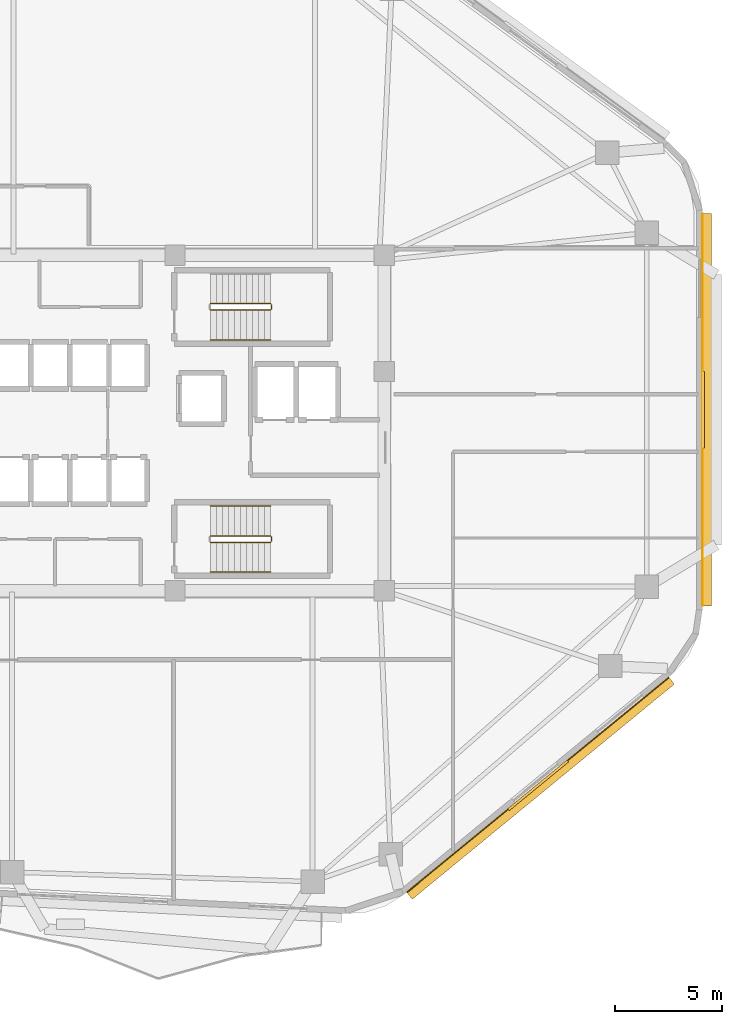
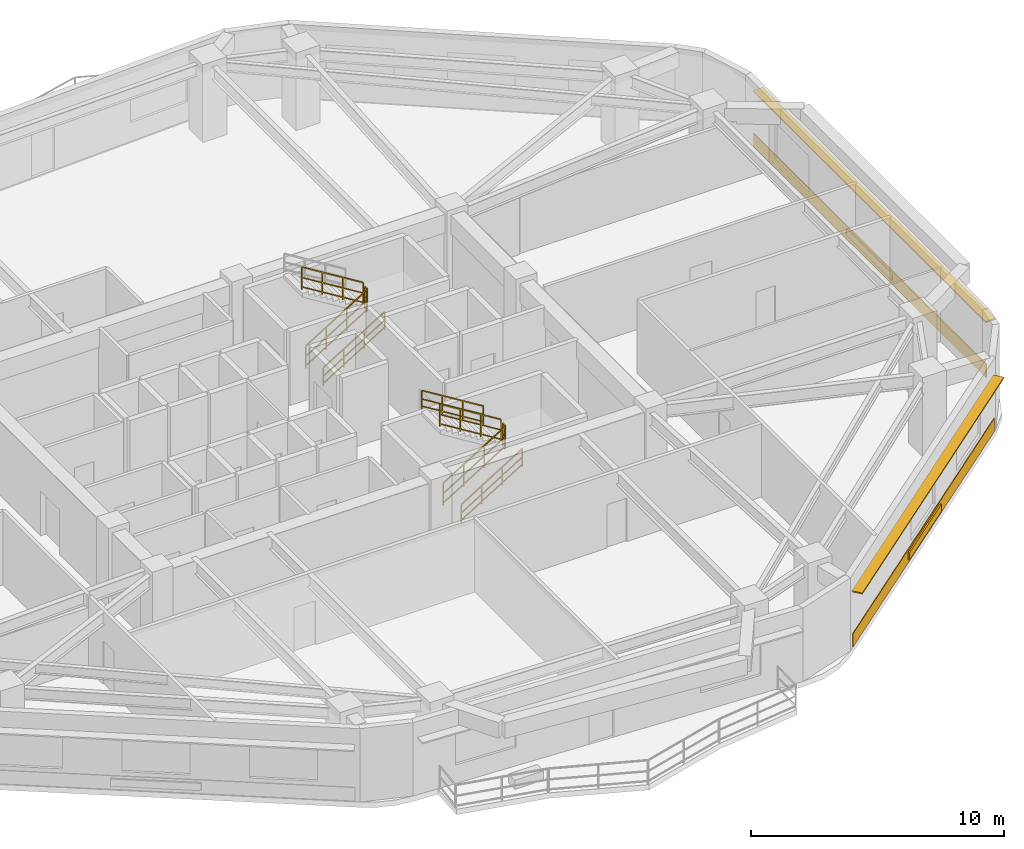
# One storey, part 8 of 9: 9 railings, 4 shading devices, 2 coverings.
"""IFC4 building model written with IfcOpenShell, lengths in metres."""

from ifc_helpers import new_model, si_unit, direction, frame, origin, origin_2d, place, context, subcontext, project, spatial, rectangle, extrude, material, layer, layer_set, type_object, element, save


model = new_model("IFC4")

# Units and contexts
model_context = context("Model", 3, precision=1e-05, world=origin(), true_north=direction((0.0, 1.0)))
body_context = subcontext(model_context, "Body", "Model", "MODEL_VIEW")
ifc_project = project(units=[si_unit("LENGTHUNIT", "METRE"), si_unit("AREAUNIT", "SQUARE_METRE"), si_unit("VOLUMEUNIT", "CUBIC_METRE"), si_unit("PLANEANGLEUNIT", "RADIAN"), si_unit("MASSUNIT", "GRAM", prefix="KILO")], contexts=[model_context])

# Site, building, storey
site_placement = place(None, origin())
site = spatial("IfcSite", under=ifc_project, at=site_placement, CompositionType="ELEMENT")
building_placement = place(site_placement, origin())
building = spatial("IfcBuilding", under=site, at=building_placement, Name="Zulverin Broadcast Headquarters", CompositionType="ELEMENT")
storey_placement = place(building_placement, frame((0.0, 0.0, 144.0)))
storey = spatial("IfcBuildingStorey", under=building, at=storey_placement, Name="L36", CompositionType="ELEMENT", Elevation=144.0)

# Coverings
ifc_material_1 = material(Name="Brushed pale-aluminium rainscreen cladding", Category="aluminium")
ifc_layer_1 = layer(ifc_material_1, 0.0400390625, Name="Brushed pale-aluminium rainscreen cladding", Category="aluminium")
ifc_layer_set_1 = layer_set([ifc_layer_1], Name="Brushed pale-aluminium rainscreen cladding")
covering_type = type_object("IfcCoveringType", Name="COV-CLAD-PALE", PredefinedType="CLADDING", material=ifc_layer_set_1)
covering_1_placement = place(storey_placement, frame((55.47802734375, 8.222412109375, 0.054931640625), z_axis=(0.0, 0.0, 1.0), x_axis=(0.77293958613, 0.634479626302, 0.0)))
element("IfcCovering", 1, at=covering_1_placement, inside=storey, type_object=covering_type, Name="L36 Brushed Pale-Aluminium Spandrel Cladding 2", PredefinedType="CLADDING", context=body_context, shape_type="SweptSolid", body=[
    extrude(rectangle(XDim=15.90869140625, YDim=0.0400390625, at=origin_2d()), origin(), (0.0, 0.0, 1.0), 0.64990234375),
])
covering_2_placement = place(storey_placement, frame((63.2099609375, 25.82421875, 0.054931640625), z_axis=(0.0, 0.0, 1.0), x_axis=(0.0, 1.0, 0.0)))
element("IfcCovering", 2, at=covering_2_placement, inside=storey, type_object=covering_type, Name="L36 Brushed Pale-Aluminium Spandrel Cladding 3", PredefinedType="CLADDING", context=body_context, shape_type="SweptSolid", body=[
    extrude(rectangle(XDim=18.41162109375, YDim=0.0400390625, at=origin_2d()), origin(), (0.0, 0.0, 1.0), 0.64990234375),
])

# Railings
ifc_material_2 = material(Name="Painted galvanized steel tubular guardrail S355JR", Category="steel")
railing_type_1 = type_object("IfcRailingType", Name="RL-ST-GUARD", PredefinedType="GUARDRAIL", material=ifc_material_2)
railing_1_placement = place(storey_placement, frame((40.1298828125, 30.5, 0.172607421875)))
element("IfcRailing", 3, at=railing_1_placement, inside=storey, type_object=railing_type_1, Name="L36 ST-1 stair guard 1", PredefinedType="GUARDRAIL", context=body_context, shape_type="SweptSolid", body=[
    extrude(rectangle(XDim=0.048095703125, YDim=0.048095703125, at=origin_2d()), frame((0.0, 0.0, 1.076171875), z_axis=(0.851089632645, 0.0, 0.525020415988), x_axis=(0.0, 1.0, 0.0)), (0.0, 0.0, 1.0), 3.2900390625),
    extrude(rectangle(XDim=0.0419921875, YDim=0.0419921875, at=origin_2d()), frame((0.0, 0.0, 0.572021484375), z_axis=(0.851089632645, 0.0, 0.525020415988), x_axis=(0.0, 1.0, 0.0)), (0.0, 0.0, 1.0), 3.2900390625),
    extrude(rectangle(XDim=0.0419921875, YDim=0.0419921875, at=origin_2d()), frame((0.0, 0.0, 0.1201171875), z_axis=(0.851089632645, 0.0, 0.525020415988), x_axis=(0.0, 1.0, 0.0)), (0.0, 0.0, 1.0), 3.2900390625),
    extrude(rectangle(XDim=0.0419921875, YDim=0.0419921875, at=origin_2d()), origin(), (0.0, 0.0, 1.0), 1.052001953125),
    extrude(rectangle(XDim=0.0419921875, YDim=0.0419921875, at=origin_2d()), frame((0.933349609375, 0.0, 0.57568359375)), (0.0, 0.0, 1.0), 1.052001953125),
    extrude(rectangle(XDim=0.0419921875, YDim=0.0419921875, at=origin_2d()), frame((1.86669921875, 0.0, 1.151611328125)), (0.0, 0.0, 1.0), 1.052001953125),
    extrude(rectangle(XDim=0.0419921875, YDim=0.0419921875, at=origin_2d()), frame((2.800048828125, 0.0, 1.727294921875)), (0.0, 0.0, 1.0), 1.052001953125),
])
railing_2_placement = place(storey_placement, frame((42.97998046875, 30.550048828125, 1.89990234375)))
element("IfcRailing", 4, at=railing_2_placement, inside=storey, type_object=railing_type_1, Name="L36 ST-1 stair guard 2", PredefinedType="GUARDRAIL", context=body_context, shape_type="SweptSolid", body=[
    extrude(rectangle(XDim=0.048095703125, YDim=0.048095703125, at=origin_2d()), frame((0.0, 0.0, 1.076171875), z_axis=(0.0, 1.0, 0.0), x_axis=(-1.0, 0.0, 0.0)), (0.0, 0.0, 1.0), 0.199951171875),
    extrude(rectangle(XDim=0.0419921875, YDim=0.0419921875, at=origin_2d()), frame((0.0, 0.0, 0.572021484375), z_axis=(0.0, 1.0, 0.0), x_axis=(-1.0, 0.0, 0.0)), (0.0, 0.0, 1.0), 0.199951171875),
    extrude(rectangle(XDim=0.0419921875, YDim=0.0419921875, at=origin_2d()), frame((0.0, 0.0, 0.1201171875), z_axis=(0.0, 1.0, 0.0), x_axis=(-1.0, 0.0, 0.0)), (0.0, 0.0, 1.0), 0.199951171875),
    extrude(rectangle(XDim=0.0419921875, YDim=0.0419921875, at=origin_2d()), origin(), (0.0, 0.0, 1.0), 1.052001953125),
    extrude(rectangle(XDim=0.0419921875, YDim=0.0419921875, at=origin_2d()), frame((0.0, 0.199951171875, 0.0)), (0.0, 0.0, 1.0), 1.052001953125),
])
railing_3_placement = place(storey_placement, frame((42.929931640625, 30.800048828125, 2.07275390625)))
element("IfcRailing", 5, at=railing_3_placement, inside=storey, type_object=railing_type_1, Name="L36 ST-1 stair guard 3", PredefinedType="GUARDRAIL", context=body_context, shape_type="SweptSolid", body=[
    extrude(rectangle(XDim=0.048095703125, YDim=0.048095703125, at=origin_2d()), frame((0.0, 0.0, 1.076171875), z_axis=(-0.851089632645, 0.0, 0.525020415988), x_axis=(0.0, -1.0, 0.0)), (0.0, 0.0, 1.0), 3.2900390625),
    extrude(rectangle(XDim=0.0419921875, YDim=0.0419921875, at=origin_2d()), frame((0.0, 0.0, 0.572021484375), z_axis=(-0.851089632645, 0.0, 0.525020415988), x_axis=(0.0, -1.0, 0.0)), (0.0, 0.0, 1.0), 3.2900390625),
    extrude(rectangle(XDim=0.0419921875, YDim=0.0419921875, at=origin_2d()), frame((0.0, 0.0, 0.1201171875), z_axis=(-0.851089632645, 0.0, 0.525020415988), x_axis=(0.0, -1.0, 0.0)), (0.0, 0.0, 1.0), 3.2900390625),
    extrude(rectangle(XDim=0.0419921875, YDim=0.0419921875, at=origin_2d()), origin(), (0.0, 0.0, 1.0), 1.052001953125),
    extrude(rectangle(XDim=0.0419921875, YDim=0.0419921875, at=origin_2d()), frame((-0.933349609375, 0.0, 0.57568359375)), (0.0, 0.0, 1.0), 1.052001953125),
    extrude(rectangle(XDim=0.0419921875, YDim=0.0419921875, at=origin_2d()), frame((-1.86669921875, 0.0, 1.151611328125)), (0.0, 0.0, 1.0), 1.052001953125),
    extrude(rectangle(XDim=0.0419921875, YDim=0.0419921875, at=origin_2d()), frame((-2.800048828125, 0.0, 1.727294921875)), (0.0, 0.0, 1.0), 1.052001953125),
])
railing_4_placement = place(storey_placement, frame((40.1298828125, 19.60009765625, 0.172607421875)))
element("IfcRailing", 6, at=railing_4_placement, inside=storey, type_object=railing_type_1, Name="L36 ST-2 stair guard 1", PredefinedType="GUARDRAIL", context=body_context, shape_type="SweptSolid", body=[
    extrude(rectangle(XDim=0.048095703125, YDim=0.048095703125, at=origin_2d()), frame((0.0, 0.0, 1.076171875), z_axis=(0.851089632645, 0.0, 0.525020415988), x_axis=(0.0, 1.0, 0.0)), (0.0, 0.0, 1.0), 3.2900390625),
    extrude(rectangle(XDim=0.0419921875, YDim=0.0419921875, at=origin_2d()), frame((0.0, 0.0, 0.572021484375), z_axis=(0.851089632645, 0.0, 0.525020415988), x_axis=(0.0, 1.0, 0.0)), (0.0, 0.0, 1.0), 3.2900390625),
    extrude(rectangle(XDim=0.0419921875, YDim=0.0419921875, at=origin_2d()), frame((0.0, 0.0, 0.1201171875), z_axis=(0.851089632645, 0.0, 0.525020415988), x_axis=(0.0, 1.0, 0.0)), (0.0, 0.0, 1.0), 3.2900390625),
    extrude(rectangle(XDim=0.0419921875, YDim=0.0419921875, at=origin_2d()), origin(), (0.0, 0.0, 1.0), 1.052001953125),
    extrude(rectangle(XDim=0.0419921875, YDim=0.0419921875, at=origin_2d()), frame((0.933349609375, 0.0, 0.57568359375)), (0.0, 0.0, 1.0), 1.052001953125),
    extrude(rectangle(XDim=0.0419921875, YDim=0.0419921875, at=origin_2d()), frame((1.86669921875, 0.0, 1.151611328125)), (0.0, 0.0, 1.0), 1.052001953125),
    extrude(rectangle(XDim=0.0419921875, YDim=0.0419921875, at=origin_2d()), frame((2.800048828125, 0.0, 1.727294921875)), (0.0, 0.0, 1.0), 1.052001953125),
])
railing_5_placement = place(storey_placement, frame((42.97998046875, 19.64990234375, 1.89990234375)))
element("IfcRailing", 7, at=railing_5_placement, inside=storey, type_object=railing_type_1, Name="L36 ST-2 stair guard 2", PredefinedType="GUARDRAIL", context=body_context, shape_type="SweptSolid", body=[
    extrude(rectangle(XDim=0.048095703125, YDim=0.048095703125, at=origin_2d()), frame((0.0, 0.0, 1.076171875), z_axis=(0.0, 1.0, 0.0), x_axis=(-1.0, 0.0, 0.0)), (0.0, 0.0, 1.0), 0.2001953125),
    extrude(rectangle(XDim=0.0419921875, YDim=0.0419921875, at=origin_2d()), frame((0.0, 0.0, 0.572021484375), z_axis=(0.0, 1.0, 0.0), x_axis=(-1.0, 0.0, 0.0)), (0.0, 0.0, 1.0), 0.2001953125),
    extrude(rectangle(XDim=0.0419921875, YDim=0.0419921875, at=origin_2d()), frame((0.0, 0.0, 0.1201171875), z_axis=(0.0, 1.0, 0.0), x_axis=(-1.0, 0.0, 0.0)), (0.0, 0.0, 1.0), 0.2001953125),
    extrude(rectangle(XDim=0.0419921875, YDim=0.0419921875, at=origin_2d()), origin(), (0.0, 0.0, 1.0), 1.052001953125),
    extrude(rectangle(XDim=0.0419921875, YDim=0.0419921875, at=origin_2d()), frame((0.0, 0.2001953125, 0.0)), (0.0, 0.0, 1.0), 1.052001953125),
])
railing_6_placement = place(storey_placement, frame((42.929931640625, 19.89990234375, 2.07275390625)))
element("IfcRailing", 8, at=railing_6_placement, inside=storey, type_object=railing_type_1, Name="L36 ST-2 stair guard 3", PredefinedType="GUARDRAIL", context=body_context, shape_type="SweptSolid", body=[
    extrude(rectangle(XDim=0.048095703125, YDim=0.048095703125, at=origin_2d()), frame((0.0, 0.0, 1.076171875), z_axis=(-0.851089632645, 0.0, 0.525020415988), x_axis=(0.0, -1.0, 0.0)), (0.0, 0.0, 1.0), 3.2900390625),
    extrude(rectangle(XDim=0.0419921875, YDim=0.0419921875, at=origin_2d()), frame((0.0, 0.0, 0.572021484375), z_axis=(-0.851089632645, 0.0, 0.525020415988), x_axis=(0.0, -1.0, 0.0)), (0.0, 0.0, 1.0), 3.2900390625),
    extrude(rectangle(XDim=0.0419921875, YDim=0.0419921875, at=origin_2d()), frame((0.0, 0.0, 0.1201171875), z_axis=(-0.851089632645, 0.0, 0.525020415988), x_axis=(0.0, -1.0, 0.0)), (0.0, 0.0, 1.0), 3.2900390625),
    extrude(rectangle(XDim=0.0419921875, YDim=0.0419921875, at=origin_2d()), origin(), (0.0, 0.0, 1.0), 1.052001953125),
    extrude(rectangle(XDim=0.0419921875, YDim=0.0419921875, at=origin_2d()), frame((-0.933349609375, 0.0, 0.57568359375)), (0.0, 0.0, 1.0), 1.052001953125),
    extrude(rectangle(XDim=0.0419921875, YDim=0.0419921875, at=origin_2d()), frame((-1.86669921875, 0.0, 1.151611328125)), (0.0, 0.0, 1.0), 1.052001953125),
    extrude(rectangle(XDim=0.0419921875, YDim=0.0419921875, at=origin_2d()), frame((-2.800048828125, 0.0, 1.727294921875)), (0.0, 0.0, 1.0), 1.052001953125),
])
ifc_material_3 = material(Name="Brushed stainless steel 48 mm handrail", Category="steel")
railing_type_2 = type_object("IfcRailingType", Name="RL-ST-HAND", PredefinedType="HANDRAIL", material=ifc_material_3)
for number, where, name in (
    (9, (40.1298828125, 29.10009765625, 0.172607421875), "L36 ST-1 stair handrail 1"),
    (10, (40.1298828125, 18.199951171875, 0.172607421875), "L36 ST-2 stair handrail 1"),
):
    element("IfcRailing", number, at=place(storey_placement, frame(where)), inside=storey, type_object=railing_type_2, Name=name, PredefinedType="HANDRAIL", context=body_context, shape_type="SweptSolid", body=[
        extrude(rectangle(XDim=0.048095703125, YDim=0.048095703125, at=origin_2d()), frame((0.0, 0.0, 0.8759765625), z_axis=(0.851089632645, 0.0, 0.525020415988), x_axis=(0.0, 1.0, 0.0)), (0.0, 0.0, 1.0), 3.2900390625),
        extrude(rectangle(XDim=0.0419921875, YDim=0.0419921875, at=origin_2d()), frame((0.0, 0.0, 0.468017578125), z_axis=(0.851089632645, 0.0, 0.525020415988), x_axis=(0.0, 1.0, 0.0)), (0.0, 0.0, 1.0), 3.2900390625),
        extrude(rectangle(XDim=0.0419921875, YDim=0.0419921875, at=origin_2d()), frame((0.0, 0.0, 0.1201171875), z_axis=(0.851089632645, 0.0, 0.525020415988), x_axis=(0.0, 1.0, 0.0)), (0.0, 0.0, 1.0), 3.2900390625),
        extrude(rectangle(XDim=0.0419921875, YDim=0.0419921875, at=origin_2d()), origin(), (0.0, 0.0, 1.0), 0.851806640625),
        extrude(rectangle(XDim=0.0419921875, YDim=0.0419921875, at=origin_2d()), frame((0.933349609375, 0.0, 0.57568359375)), (0.0, 0.0, 1.0), 0.851806640625),
        extrude(rectangle(XDim=0.0419921875, YDim=0.0419921875, at=origin_2d()), frame((1.86669921875, 0.0, 1.151611328125)), (0.0, 0.0, 1.0), 0.851806640625),
        extrude(rectangle(XDim=0.0419921875, YDim=0.0419921875, at=origin_2d()), frame((2.800048828125, 0.0, 1.727294921875)), (0.0, 0.0, 1.0), 0.851806640625),
    ])
railing_7_placement = place(storey_placement, frame((42.929931640625, 21.300048828125, 2.07275390625)))
element("IfcRailing", 11, at=railing_7_placement, inside=storey, type_object=railing_type_2, Name="L36 ST-2 stair handrail 2", PredefinedType="HANDRAIL", context=body_context, shape_type="SweptSolid", body=[
    extrude(rectangle(XDim=0.048095703125, YDim=0.048095703125, at=origin_2d()), frame((0.0, 0.0, 0.8759765625), z_axis=(-0.851089632645, 0.0, 0.525020415988), x_axis=(0.0, -1.0, 0.0)), (0.0, 0.0, 1.0), 3.2900390625),
    extrude(rectangle(XDim=0.0419921875, YDim=0.0419921875, at=origin_2d()), frame((0.0, 0.0, 0.468017578125), z_axis=(-0.851089632645, 0.0, 0.525020415988), x_axis=(0.0, -1.0, 0.0)), (0.0, 0.0, 1.0), 3.2900390625),
    extrude(rectangle(XDim=0.0419921875, YDim=0.0419921875, at=origin_2d()), frame((0.0, 0.0, 0.1201171875), z_axis=(-0.851089632645, 0.0, 0.525020415988), x_axis=(0.0, -1.0, 0.0)), (0.0, 0.0, 1.0), 3.2900390625),
    extrude(rectangle(XDim=0.0419921875, YDim=0.0419921875, at=origin_2d()), origin(), (0.0, 0.0, 1.0), 0.851806640625),
    extrude(rectangle(XDim=0.0419921875, YDim=0.0419921875, at=origin_2d()), frame((-0.933349609375, 0.0, 0.57568359375)), (0.0, 0.0, 1.0), 0.851806640625),
    extrude(rectangle(XDim=0.0419921875, YDim=0.0419921875, at=origin_2d()), frame((-1.86669921875, 0.0, 1.151611328125)), (0.0, 0.0, 1.0), 0.851806640625),
    extrude(rectangle(XDim=0.0419921875, YDim=0.0419921875, at=origin_2d()), frame((-2.800048828125, 0.0, 1.727294921875)), (0.0, 0.0, 1.0), 0.851806640625),
])

# Shading devices
ifc_material_4 = material(Name="Anodized pale-metal aluminium acoustic louvre", Category="aluminium")
shading_device_type_1 = type_object("IfcShadingDeviceType", Name="SHD-LOUVRE-350", PredefinedType="USERDEFINED", material=ifc_material_4)
for number, where, z_axis, x_axis, name in (
    (12, (55.4970703125, 8.19921875, 0.244873046875), (0.0, 0.0, 1.0), (0.77293958613, 0.634479626302, 0.0), "L36 Spandrel Intake Louvre 2"),
    (13, (63.239990234375, 25.82421875, 0.244873046875), (0.0, 0.0, 1.0), (0.0, 1.0, 0.0), "L36 Spandrel Intake Louvre 3"),
):
    element("IfcShadingDevice", number, at=place(storey_placement, frame(where, z_axis=z_axis, x_axis=x_axis)), inside=storey, type_object=shading_device_type_1, Name=name, ObjectType="LOUVRE", PredefinedType="USERDEFINED", context=body_context, shape_type="SweptSolid", body=[
        extrude(rectangle(XDim=3.60009765625, YDim=0.1201171875, at=origin_2d()), origin(), (0.0, 0.0, 1.0), 0.35009765625),
    ])
ifc_material_5 = material(Name="Anodized pale-metal aluminium sunshade", Category="aluminium")
ifc_layer_2 = layer(ifc_material_5, 0.06005859375, Name="Anodized pale-metal aluminium sunshade", Category="aluminium")
ifc_layer_set_2 = layer_set([ifc_layer_2], Name="Anodized pale-metal aluminium sunshade")
shading_device_type_2 = type_object("IfcShadingDeviceType", Name="SS-01_PALE_METAL_ALUMINIUM_SUNSHADE", PredefinedType="USERDEFINED", material=ifc_layer_set_2)
shading_device_1_placement = place(storey_placement, frame((55.598388671875, 8.075439453125, 2.7099609375), z_axis=(0.0, 0.0, 1.0), x_axis=(0.77293958613, 0.634479626302, 0.0)))
element("IfcShadingDevice", 14, at=shading_device_1_placement, inside=storey, type_object=shading_device_type_2, Name="L36 Horizontal Pale-Metal Sunshade Band 2", ObjectType="SUNSHADE", PredefinedType="USERDEFINED", context=body_context, shape_type="SweptSolid", body=[
    extrude(rectangle(XDim=15.90869140625, YDim=0.449951171875, at=origin_2d()), origin(), (0.0, 0.0, 1.0), 0.06005859375),
])
shading_device_2_placement = place(storey_placement, frame((63.39990234375, 25.82421875, 2.7099609375), z_axis=(0.0, 0.0, 1.0), x_axis=(0.0, 1.0, 0.0)))
element("IfcShadingDevice", 15, at=shading_device_2_placement, inside=storey, type_object=shading_device_type_2, Name="L36 Horizontal Pale-Metal Sunshade Band 3", ObjectType="SUNSHADE", PredefinedType="USERDEFINED", context=body_context, shape_type="SweptSolid", body=[
    extrude(rectangle(XDim=18.41162109375, YDim=0.449951171875, at=origin_2d()), origin(), (0.0, 0.0, 1.0), 0.06005859375),
])

save(model, "model.ifc")
